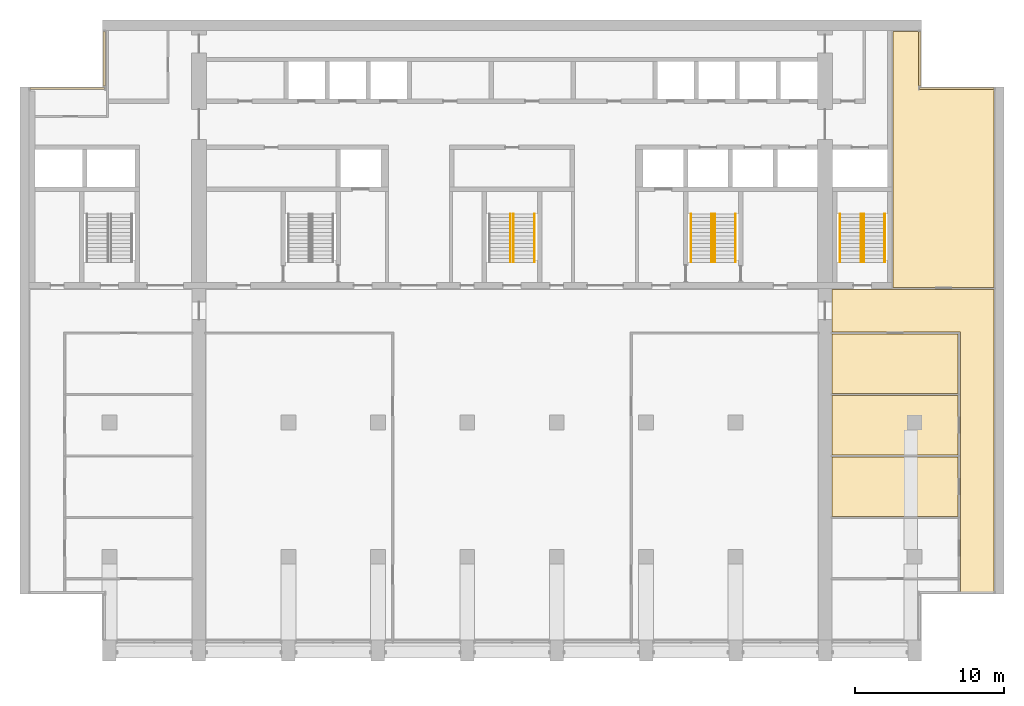
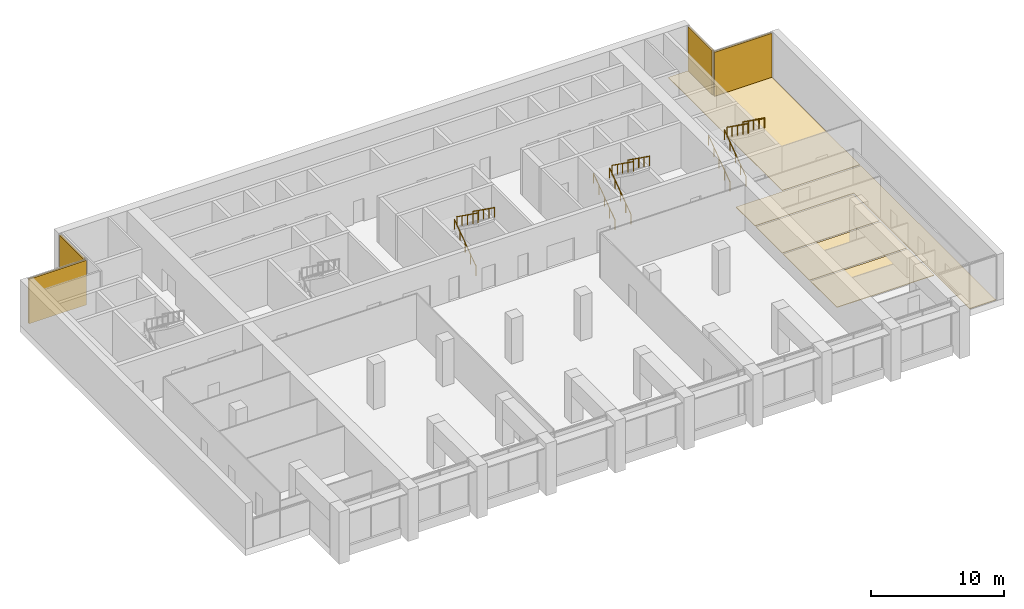
# One storey, part 13 of 13: 11 railings, 5 coverings, 4 shading devices, 7 elements without a shape of their own.
"""IFC4 building model written with IfcOpenShell, lengths in metres."""

from ifc_helpers import new_model, si_unit, direction, frame, origin, origin_2d, place, context, subcontext, project, spatial, polyline, rectangle, circle, outline, extrude, material, layer, layer_set, type_object, element, aggregate, save


model = new_model("IFC4")

# Units and contexts
model_context = context("Model", 3, precision=1e-05, world=origin(), true_north=direction((0.0, 1.0)))
body_context = subcontext(model_context, "Body", "Model", "MODEL_VIEW")
ifc_project = project(units=[si_unit("LENGTHUNIT", "METRE"), si_unit("AREAUNIT", "SQUARE_METRE"), si_unit("VOLUMEUNIT", "CUBIC_METRE"), si_unit("PLANEANGLEUNIT", "RADIAN"), si_unit("MASSUNIT", "GRAM", prefix="KILO")], contexts=[model_context])

# Site, building, storey
site_placement = place(None, origin())
site = spatial("IfcSite", under=ifc_project, at=site_placement, CompositionType="ELEMENT")
building_placement = place(site_placement, origin())
building = spatial("IfcBuilding", under=site, at=building_placement, Name="Calvaro Tower", CompositionType="ELEMENT")
storey_placement = place(building_placement, frame((0.0, 0.0, 226.75)))
storey = spatial("IfcBuildingStorey", under=building, at=storey_placement, Name="L57", CompositionType="ELEMENT", Elevation=226.75)

# Coverings
ifc_material_1 = material(Name="Cement screed with carpet tile finish")
ifc_layer_1 = layer(ifc_material_1, 0.050048828125)
ifc_layer_set_1 = layer_set([ifc_layer_1], Name="Cement screed with carpet tile finish")
covering_type = type_object("IfcCoveringType", Name="Floor finish 50", PredefinedType="FLOORING", material=ifc_layer_set_1)
covering_1_placement = place(storey_placement, origin())
element("IfcCovering", 1, at=covering_1_placement, inside=storey, type_object=covering_type, Name="Floor finish 33.03", PredefinedType="FLOORING", context=body_context, shape_type="SweptSolid", body=[
    extrude(outline(polyline([(69.070068359375, 25.070068359375), (60.469970703125, 25.070068359375), (60.469970703125, 27.929931640625), (71.330078125, 27.929931640625), (71.330078125, 7.570068359375), (69.070068359375, 7.570068359375), (69.070068359375, 25.070068359375)])), origin(), (0.0, 0.0, 1.0), 0.050048828125),
])
covering_2_placement = place(storey_placement, origin())
element("IfcCovering", 2, at=covering_2_placement, inside=storey, type_object=covering_type, Name="Floor finish 33.11", PredefinedType="FLOORING", context=body_context, shape_type="SweptSolid", body=[
    extrude(outline(polyline([(60.469970703125, 12.7099609375), (60.469970703125, 16.68994140625), (68.929931640625, 16.68994140625), (68.929931640625, 12.7099609375), (60.469970703125, 12.7099609375)])), origin(), (0.0, 0.0, 1.0), 0.050048828125),
])
covering_3_placement = place(storey_placement, origin())
element("IfcCovering", 3, at=covering_3_placement, inside=storey, type_object=covering_type, Name="Floor finish 33.13", PredefinedType="FLOORING", context=body_context, shape_type="SweptSolid", body=[
    extrude(outline(polyline([(60.469970703125, 16.830078125), (60.469970703125, 20.81005859375), (68.929931640625, 20.81005859375), (68.929931640625, 16.830078125), (60.469970703125, 16.830078125)])), origin(), (0.0, 0.0, 1.0), 0.050048828125),
])
covering_4_placement = place(storey_placement, origin())
element("IfcCovering", 4, at=covering_4_placement, inside=storey, type_object=covering_type, Name="Floor finish 33.15", PredefinedType="FLOORING", context=body_context, shape_type="SweptSolid", body=[
    extrude(outline(polyline([(60.469970703125, 20.949951171875), (60.469970703125, 24.929931640625), (68.929931640625, 24.929931640625), (68.929931640625, 20.949951171875), (60.469970703125, 20.949951171875)])), origin(), (0.0, 0.0, 1.0), 0.050048828125),
])
covering_5_placement = place(storey_placement, origin())
element("IfcCovering", 5, at=covering_5_placement, inside=storey, type_object=covering_type, Name="Floor finish 33.16", PredefinedType="FLOORING", context=body_context, shape_type="SweptSolid", body=[
    extrude(outline(polyline([(71.330078125, 28.070068359375), (64.570068359375, 28.070068359375), (64.570068359375, 45.22998046875), (66.3798828125, 45.22998046875), (66.3798828125, 41.429931640625), (71.330078125, 41.429931640625), (71.330078125, 28.070068359375)])), origin(), (0.0, 0.0, 1.0), 0.050048828125),
])

# Curtain wall, shading device
ifc_material_2 = material(Name="Anodised aluminium", Category="aluminium")
curtain_wall_type = type_object("IfcCurtainWallType", Name="Louvre wall", PredefinedType="NOTDEFINED", material=ifc_material_2)
curtain_wall_1_placement = place(storey_placement, origin())
curtain_wall_1 = element("IfcCurtainWall", 6, at=curtain_wall_1_placement, inside=storey, type_object=curtain_wall_type, Name="CW8 corner curtain wall", PredefinedType="NOTDEFINED")
ifc_material_3 = material(Name="Aluminium", Category="aluminium")
ifc_layer_2 = layer(ifc_material_3, 0.14990234375)
ifc_layer_set_2 = layer_set([ifc_layer_2], Name="Aluminium")
shading_device_type = type_object("IfcShadingDeviceType", Name="Louvre panel LV 150", PredefinedType="JALOUSIE", material=ifc_layer_set_2)
shading_device_1_placement = place(storey_placement, frame((11.64990234375, 43.39990234375, 0.0), z_axis=(0.0, 0.0, 1.0), x_axis=(0.0, 1.0, 0.0)))
shading_device_1 = element("IfcShadingDevice", 7, at=shading_device_1_placement, type_object=shading_device_type, Name="CW8 louvre panel 1.1", PredefinedType="JALOUSIE", context=body_context, shape_type="SweptSolid", body=[
    extrude(rectangle(XDim=3.639892578125, YDim=0.14990234375, at=origin_2d()), origin(), (0.0, 0.0, 1.0), 4.10009765625),
])
aggregate(curtain_wall_1, [shading_device_1])

curtain_wall_2_placement = place(storey_placement, origin())
curtain_wall_2 = element("IfcCurtainWall", 8, at=curtain_wall_2_placement, inside=storey, type_object=curtain_wall_type, Name="CW8 corner curtain wall", PredefinedType="NOTDEFINED")
shading_device_2_placement = place(storey_placement, frame((9.175048828125, 41.39990234375, 0.0), z_axis=(0.0, 0.0, 1.0), x_axis=(1.0, 0.0, 0.0)))
shading_device_2 = element("IfcShadingDevice", 9, at=shading_device_2_placement, type_object=shading_device_type, Name="CW8 louvre panel 1.1", PredefinedType="JALOUSIE", context=body_context, shape_type="SweptSolid", body=[
    extrude(rectangle(XDim=4.989990234375, YDim=0.14990234375, at=origin_2d()), origin(), (0.0, 0.0, 1.0), 4.10009765625),
])
aggregate(curtain_wall_2, [shading_device_2])

curtain_wall_3_placement = place(storey_placement, origin())
curtain_wall_3 = element("IfcCurtainWall", 10, at=curtain_wall_3_placement, inside=storey, type_object=curtain_wall_type, Name="CW8 corner curtain wall", PredefinedType="NOTDEFINED")
shading_device_3_placement = place(storey_placement, frame((66.35009765625, 43.39990234375, 0.0), z_axis=(0.0, 0.0, 1.0), x_axis=(0.0, 1.0, 0.0)))
shading_device_3 = element("IfcShadingDevice", 11, at=shading_device_3_placement, type_object=shading_device_type, Name="CW8 louvre panel 1.1", PredefinedType="JALOUSIE", context=body_context, shape_type="SweptSolid", body=[
    extrude(rectangle(XDim=3.639892578125, YDim=0.14990234375, at=origin_2d()), origin(), (0.0, 0.0, 1.0), 4.10009765625),
])
aggregate(curtain_wall_3, [shading_device_3])

curtain_wall_4_placement = place(storey_placement, origin())
curtain_wall_4 = element("IfcCurtainWall", 12, at=curtain_wall_4_placement, inside=storey, type_object=curtain_wall_type, Name="CW8 corner curtain wall", PredefinedType="NOTDEFINED")
shading_device_4_placement = place(storey_placement, frame((68.824951171875, 41.39990234375, 0.0), z_axis=(0.0, 0.0, 1.0), x_axis=(1.0, 0.0, 0.0)))
shading_device_4 = element("IfcShadingDevice", 13, at=shading_device_4_placement, type_object=shading_device_type, Name="CW8 louvre panel 1.1", PredefinedType="JALOUSIE", context=body_context, shape_type="SweptSolid", body=[
    extrude(rectangle(XDim=4.989990234375, YDim=0.14990234375, at=origin_2d()), origin(), (0.0, 0.0, 1.0), 4.10009765625),
])
aggregate(curtain_wall_4, [shading_device_4])

# Stair, railings
ifc_material_4 = material(Name="Concrete C40/50", Category="concrete")
stair_type = type_object("IfcStairType", Name="Exit stair 1400 2 flights", PredefinedType="HALF_TURN_STAIR", material=ifc_material_4)
stair_1_placement = place(storey_placement, origin())
stair_1 = element("IfcStair", 14, at=stair_1_placement, inside=storey, type_object=stair_type, Name="Exit stair S3", PredefinedType="HALF_TURN_STAIR")
ifc_material_5 = material(Name="Stainless steel", Category="steel")
railing_type = type_object("IfcRailingType", Name="Stair handrail", PredefinedType="HANDRAIL", material=ifc_material_5)
railing_1_placement = place(storey_placement, frame((38.89990234375, 29.75, 0.178466796875)))
railing_1 = element("IfcRailing", 15, at=railing_1_placement, type_object=railing_type, Name="Exit stair 3 handrail", PredefinedType="HANDRAIL", context=body_context, shape_type="SweptSolid", body=[
    extrude(circle(Radius=0.02392578125, at=origin_2d()), frame((0.0, 0.0, 0.8759765625), z_axis=(0.0, 0.813721080437, 0.581255540405), x_axis=(-1.0, 0.0, 0.0)), (0.0, 0.0, 1.0), 3.993896484375),
    extrude(circle(Radius=0.02099609375, at=origin_2d()), frame((0.0, 0.01708984375, 0.01220703125)), (0.0, 0.0, 1.0), 0.851806640625),
    extrude(circle(Radius=0.02099609375, at=origin_2d()), frame((0.0, 0.8125, 0.580322265625)), (0.0, 0.0, 1.0), 0.851806640625),
    extrude(circle(Radius=0.02099609375, at=origin_2d()), frame((0.0, 1.625, 1.16064453125)), (0.0, 0.0, 1.0), 0.851806640625),
    extrude(circle(Radius=0.02099609375, at=origin_2d()), frame((0.0, 2.4375, 1.7412109375)), (0.0, 0.0, 1.0), 0.851806640625),
    extrude(circle(Radius=0.02099609375, at=origin_2d()), frame((0.0, 3.23291015625, 2.309326171875)), (0.0, 0.0, 1.0), 0.851806640625),
])
railing_2_placement = place(storey_placement, frame((39.10009765625, 33.0, 2.678466796875)))
railing_2 = element("IfcRailing", 16, at=railing_2_placement, type_object=railing_type, Name="Exit stair 3 handrail", PredefinedType="HANDRAIL", context=body_context, shape_type="SweptSolid", body=[
    extrude(circle(Radius=0.02392578125, at=origin_2d()), frame((0.0, 0.0, 0.8759765625), z_axis=(0.0, -0.813721080437, 0.581255540405), x_axis=(1.0, 0.0, 0.0)), (0.0, 0.0, 1.0), 3.993896484375),
    extrude(circle(Radius=0.02099609375, at=origin_2d()), frame((0.0, -0.01708984375, 0.01220703125)), (0.0, 0.0, 1.0), 0.851806640625),
    extrude(circle(Radius=0.02099609375, at=origin_2d()), frame((0.0, -0.8125, 0.580322265625)), (0.0, 0.0, 1.0), 0.851806640625),
    extrude(circle(Radius=0.02099609375, at=origin_2d()), frame((0.0, -1.625, 1.16064453125)), (0.0, 0.0, 1.0), 0.851806640625),
    extrude(circle(Radius=0.02099609375, at=origin_2d()), frame((0.0, -2.4375, 1.7412109375)), (0.0, 0.0, 1.0), 0.851806640625),
    extrude(circle(Radius=0.02099609375, at=origin_2d()), frame((0.0, -3.23291015625, 2.309326171875)), (0.0, 0.0, 1.0), 0.851806640625),
])
railing_3_placement = place(storey_placement, frame((40.5, 33.0, 2.678466796875)))
railing_3 = element("IfcRailing", 17, at=railing_3_placement, type_object=railing_type, Name="Exit stair 3 handrail", PredefinedType="HANDRAIL", context=body_context, shape_type="SweptSolid", body=[
    extrude(circle(Radius=0.02392578125, at=origin_2d()), frame((0.0, 0.0, 0.8759765625), z_axis=(0.0, -0.813721080437, 0.581255540405), x_axis=(1.0, 0.0, 0.0)), (0.0, 0.0, 1.0), 3.993896484375),
    extrude(circle(Radius=0.02099609375, at=origin_2d()), frame((0.0, -0.01708984375, 0.01220703125)), (0.0, 0.0, 1.0), 0.851806640625),
    extrude(circle(Radius=0.02099609375, at=origin_2d()), frame((0.0, -0.8125, 0.580322265625)), (0.0, 0.0, 1.0), 0.851806640625),
    extrude(circle(Radius=0.02099609375, at=origin_2d()), frame((0.0, -1.625, 1.16064453125)), (0.0, 0.0, 1.0), 0.851806640625),
    extrude(circle(Radius=0.02099609375, at=origin_2d()), frame((0.0, -2.4375, 1.7412109375)), (0.0, 0.0, 1.0), 0.851806640625),
    extrude(circle(Radius=0.02099609375, at=origin_2d()), frame((0.0, -3.23291015625, 2.309326171875)), (0.0, 0.0, 1.0), 0.851806640625),
])
aggregate(stair_1, [railing_1, railing_2, railing_3])

stair_2_placement = place(storey_placement, origin())
stair_2 = element("IfcStair", 18, at=stair_2_placement, inside=storey, type_object=stair_type, Name="Exit stair S4", PredefinedType="HALF_TURN_STAIR")
railing_4_placement = place(storey_placement, frame((52.39990234375, 29.75, 0.178466796875)))
railing_4 = element("IfcRailing", 19, at=railing_4_placement, type_object=railing_type, Name="Exit stair 4 handrail", PredefinedType="HANDRAIL", context=body_context, shape_type="SweptSolid", body=[
    extrude(circle(Radius=0.02392578125, at=origin_2d()), frame((0.0, 0.0, 0.8759765625), z_axis=(0.0, 0.813721080437, 0.581255540405), x_axis=(-1.0, 0.0, 0.0)), (0.0, 0.0, 1.0), 3.993896484375),
    extrude(circle(Radius=0.02099609375, at=origin_2d()), frame((0.0, 0.01708984375, 0.01220703125)), (0.0, 0.0, 1.0), 0.851806640625),
    extrude(circle(Radius=0.02099609375, at=origin_2d()), frame((0.0, 0.8125, 0.580322265625)), (0.0, 0.0, 1.0), 0.851806640625),
    extrude(circle(Radius=0.02099609375, at=origin_2d()), frame((0.0, 1.625, 1.16064453125)), (0.0, 0.0, 1.0), 0.851806640625),
    extrude(circle(Radius=0.02099609375, at=origin_2d()), frame((0.0, 2.4375, 1.7412109375)), (0.0, 0.0, 1.0), 0.851806640625),
    extrude(circle(Radius=0.02099609375, at=origin_2d()), frame((0.0, 3.23291015625, 2.309326171875)), (0.0, 0.0, 1.0), 0.851806640625),
])
railing_5_placement = place(storey_placement, frame((51.0, 29.75, 0.178466796875)))
railing_5 = element("IfcRailing", 20, at=railing_5_placement, type_object=railing_type, Name="Exit stair 4 handrail", PredefinedType="HANDRAIL", context=body_context, shape_type="SweptSolid", body=[
    extrude(circle(Radius=0.02392578125, at=origin_2d()), frame((0.0, 0.0, 0.8759765625), z_axis=(0.0, 0.813721080437, 0.581255540405), x_axis=(-1.0, 0.0, 0.0)), (0.0, 0.0, 1.0), 3.993896484375),
    extrude(circle(Radius=0.02099609375, at=origin_2d()), frame((0.0, 0.01708984375, 0.01220703125)), (0.0, 0.0, 1.0), 0.851806640625),
    extrude(circle(Radius=0.02099609375, at=origin_2d()), frame((0.0, 0.8125, 0.580322265625)), (0.0, 0.0, 1.0), 0.851806640625),
    extrude(circle(Radius=0.02099609375, at=origin_2d()), frame((0.0, 1.625, 1.16064453125)), (0.0, 0.0, 1.0), 0.851806640625),
    extrude(circle(Radius=0.02099609375, at=origin_2d()), frame((0.0, 2.4375, 1.7412109375)), (0.0, 0.0, 1.0), 0.851806640625),
    extrude(circle(Radius=0.02099609375, at=origin_2d()), frame((0.0, 3.23291015625, 2.309326171875)), (0.0, 0.0, 1.0), 0.851806640625),
])
railing_6_placement = place(storey_placement, frame((52.60009765625, 33.0, 2.678466796875)))
railing_6 = element("IfcRailing", 21, at=railing_6_placement, type_object=railing_type, Name="Exit stair 4 handrail", PredefinedType="HANDRAIL", context=body_context, shape_type="SweptSolid", body=[
    extrude(circle(Radius=0.02392578125, at=origin_2d()), frame((0.0, 0.0, 0.8759765625), z_axis=(0.0, -0.813721080437, 0.581255540405), x_axis=(1.0, 0.0, 0.0)), (0.0, 0.0, 1.0), 3.993896484375),
    extrude(circle(Radius=0.02099609375, at=origin_2d()), frame((0.0, -0.01708984375, 0.01220703125)), (0.0, 0.0, 1.0), 0.851806640625),
    extrude(circle(Radius=0.02099609375, at=origin_2d()), frame((0.0, -0.8125, 0.580322265625)), (0.0, 0.0, 1.0), 0.851806640625),
    extrude(circle(Radius=0.02099609375, at=origin_2d()), frame((0.0, -1.625, 1.16064453125)), (0.0, 0.0, 1.0), 0.851806640625),
    extrude(circle(Radius=0.02099609375, at=origin_2d()), frame((0.0, -2.4375, 1.7412109375)), (0.0, 0.0, 1.0), 0.851806640625),
    extrude(circle(Radius=0.02099609375, at=origin_2d()), frame((0.0, -3.23291015625, 2.309326171875)), (0.0, 0.0, 1.0), 0.851806640625),
])
railing_7_placement = place(storey_placement, frame((54.0, 33.0, 2.678466796875)))
railing_7 = element("IfcRailing", 22, at=railing_7_placement, type_object=railing_type, Name="Exit stair 4 handrail", PredefinedType="HANDRAIL", context=body_context, shape_type="SweptSolid", body=[
    extrude(circle(Radius=0.02392578125, at=origin_2d()), frame((0.0, 0.0, 0.8759765625), z_axis=(0.0, -0.813721080437, 0.581255540405), x_axis=(1.0, 0.0, 0.0)), (0.0, 0.0, 1.0), 3.993896484375),
    extrude(circle(Radius=0.02099609375, at=origin_2d()), frame((0.0, -0.01708984375, 0.01220703125)), (0.0, 0.0, 1.0), 0.851806640625),
    extrude(circle(Radius=0.02099609375, at=origin_2d()), frame((0.0, -0.8125, 0.580322265625)), (0.0, 0.0, 1.0), 0.851806640625),
    extrude(circle(Radius=0.02099609375, at=origin_2d()), frame((0.0, -1.625, 1.16064453125)), (0.0, 0.0, 1.0), 0.851806640625),
    extrude(circle(Radius=0.02099609375, at=origin_2d()), frame((0.0, -2.4375, 1.7412109375)), (0.0, 0.0, 1.0), 0.851806640625),
    extrude(circle(Radius=0.02099609375, at=origin_2d()), frame((0.0, -3.23291015625, 2.309326171875)), (0.0, 0.0, 1.0), 0.851806640625),
])
aggregate(stair_2, [railing_4, railing_5, railing_6, railing_7])

stair_3_placement = place(storey_placement, origin())
stair_3 = element("IfcStair", 23, at=stair_3_placement, inside=storey, type_object=stair_type, Name="Exit stair S5", PredefinedType="HALF_TURN_STAIR")
railing_8_placement = place(storey_placement, frame((62.39990234375, 29.75, 0.178466796875)))
railing_8 = element("IfcRailing", 24, at=railing_8_placement, type_object=railing_type, Name="Exit stair 5 handrail", PredefinedType="HANDRAIL", context=body_context, shape_type="SweptSolid", body=[
    extrude(circle(Radius=0.02392578125, at=origin_2d()), frame((0.0, 0.0, 0.8759765625), z_axis=(0.0, 0.813721080437, 0.581255540405), x_axis=(-1.0, 0.0, 0.0)), (0.0, 0.0, 1.0), 3.993896484375),
    extrude(circle(Radius=0.02099609375, at=origin_2d()), frame((0.0, 0.01708984375, 0.01220703125)), (0.0, 0.0, 1.0), 0.851806640625),
    extrude(circle(Radius=0.02099609375, at=origin_2d()), frame((0.0, 0.8125, 0.580322265625)), (0.0, 0.0, 1.0), 0.851806640625),
    extrude(circle(Radius=0.02099609375, at=origin_2d()), frame((0.0, 1.625, 1.16064453125)), (0.0, 0.0, 1.0), 0.851806640625),
    extrude(circle(Radius=0.02099609375, at=origin_2d()), frame((0.0, 2.4375, 1.7412109375)), (0.0, 0.0, 1.0), 0.851806640625),
    extrude(circle(Radius=0.02099609375, at=origin_2d()), frame((0.0, 3.23291015625, 2.309326171875)), (0.0, 0.0, 1.0), 0.851806640625),
])
railing_9_placement = place(storey_placement, frame((61.0, 29.75, 0.178466796875)))
railing_9 = element("IfcRailing", 25, at=railing_9_placement, type_object=railing_type, Name="Exit stair 5 handrail", PredefinedType="HANDRAIL", context=body_context, shape_type="SweptSolid", body=[
    extrude(circle(Radius=0.02392578125, at=origin_2d()), frame((0.0, 0.0, 0.8759765625), z_axis=(0.0, 0.813721080437, 0.581255540405), x_axis=(-1.0, 0.0, 0.0)), (0.0, 0.0, 1.0), 3.993896484375),
    extrude(circle(Radius=0.02099609375, at=origin_2d()), frame((0.0, 0.01708984375, 0.01220703125)), (0.0, 0.0, 1.0), 0.851806640625),
    extrude(circle(Radius=0.02099609375, at=origin_2d()), frame((0.0, 0.8125, 0.580322265625)), (0.0, 0.0, 1.0), 0.851806640625),
    extrude(circle(Radius=0.02099609375, at=origin_2d()), frame((0.0, 1.625, 1.16064453125)), (0.0, 0.0, 1.0), 0.851806640625),
    extrude(circle(Radius=0.02099609375, at=origin_2d()), frame((0.0, 2.4375, 1.7412109375)), (0.0, 0.0, 1.0), 0.851806640625),
    extrude(circle(Radius=0.02099609375, at=origin_2d()), frame((0.0, 3.23291015625, 2.309326171875)), (0.0, 0.0, 1.0), 0.851806640625),
])
railing_10_placement = place(storey_placement, frame((62.60009765625, 33.0, 2.678466796875)))
railing_10 = element("IfcRailing", 26, at=railing_10_placement, type_object=railing_type, Name="Exit stair 5 handrail", PredefinedType="HANDRAIL", context=body_context, shape_type="SweptSolid", body=[
    extrude(circle(Radius=0.02392578125, at=origin_2d()), frame((0.0, 0.0, 0.8759765625), z_axis=(0.0, -0.813721080437, 0.581255540405), x_axis=(1.0, 0.0, 0.0)), (0.0, 0.0, 1.0), 3.993896484375),
    extrude(circle(Radius=0.02099609375, at=origin_2d()), frame((0.0, -0.01708984375, 0.01220703125)), (0.0, 0.0, 1.0), 0.851806640625),
    extrude(circle(Radius=0.02099609375, at=origin_2d()), frame((0.0, -0.8125, 0.580322265625)), (0.0, 0.0, 1.0), 0.851806640625),
    extrude(circle(Radius=0.02099609375, at=origin_2d()), frame((0.0, -1.625, 1.16064453125)), (0.0, 0.0, 1.0), 0.851806640625),
    extrude(circle(Radius=0.02099609375, at=origin_2d()), frame((0.0, -2.4375, 1.7412109375)), (0.0, 0.0, 1.0), 0.851806640625),
    extrude(circle(Radius=0.02099609375, at=origin_2d()), frame((0.0, -3.23291015625, 2.309326171875)), (0.0, 0.0, 1.0), 0.851806640625),
])
railing_11_placement = place(storey_placement, frame((64.0, 33.0, 2.678466796875)))
railing_11 = element("IfcRailing", 27, at=railing_11_placement, type_object=railing_type, Name="Exit stair 5 handrail", PredefinedType="HANDRAIL", context=body_context, shape_type="SweptSolid", body=[
    extrude(circle(Radius=0.02392578125, at=origin_2d()), frame((0.0, 0.0, 0.8759765625), z_axis=(0.0, -0.813721080437, 0.581255540405), x_axis=(1.0, 0.0, 0.0)), (0.0, 0.0, 1.0), 3.993896484375),
    extrude(circle(Radius=0.02099609375, at=origin_2d()), frame((0.0, -0.01708984375, 0.01220703125)), (0.0, 0.0, 1.0), 0.851806640625),
    extrude(circle(Radius=0.02099609375, at=origin_2d()), frame((0.0, -0.8125, 0.580322265625)), (0.0, 0.0, 1.0), 0.851806640625),
    extrude(circle(Radius=0.02099609375, at=origin_2d()), frame((0.0, -1.625, 1.16064453125)), (0.0, 0.0, 1.0), 0.851806640625),
    extrude(circle(Radius=0.02099609375, at=origin_2d()), frame((0.0, -2.4375, 1.7412109375)), (0.0, 0.0, 1.0), 0.851806640625),
    extrude(circle(Radius=0.02099609375, at=origin_2d()), frame((0.0, -3.23291015625, 2.309326171875)), (0.0, 0.0, 1.0), 0.851806640625),
])
aggregate(stair_3, [railing_8, railing_9, railing_10, railing_11])

save(model, "model.ifc")
